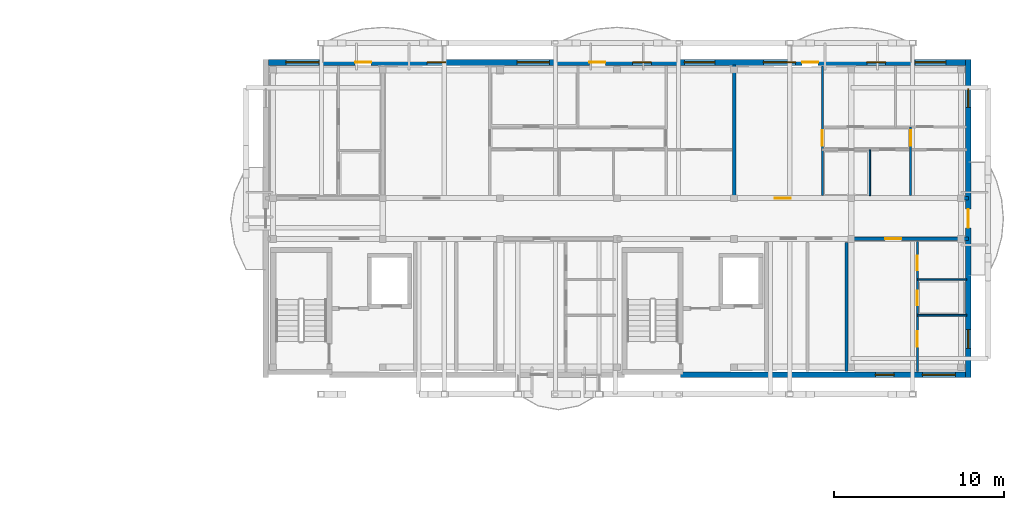
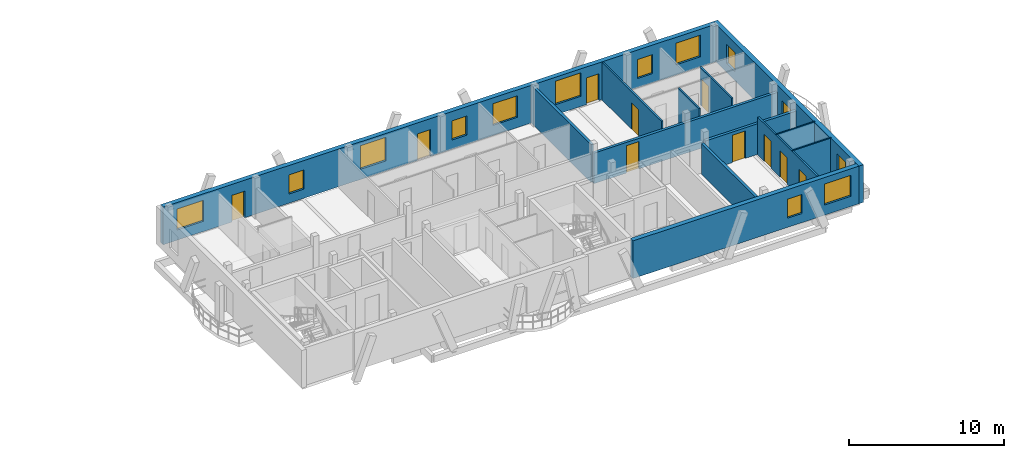
# One storey, part 23 of 33: 13 walls, 12 windows, 11 doors, 23 openings.
"""IFC4 building model written with IfcOpenShell, lengths in metres."""

from ifc_helpers import new_model, si_unit, direction, frame, frame_2d, origin, origin_with_axes, place, context, subcontext, project, spatial, rectangle, extrude, material, layer, layer_set, type_object, element, fill, save


model = new_model("IFC4")

# Units and contexts
model_context = context("Model", 3, precision=1e-05, world=origin(), true_north=direction((0.0, 1.0)))
body_context = subcontext(model_context, "Body", "Model", "MODEL_VIEW")
ifc_project = project(units=[si_unit("LENGTHUNIT", "METRE"), si_unit("AREAUNIT", "SQUARE_METRE"), si_unit("VOLUMEUNIT", "CUBIC_METRE"), si_unit("PLANEANGLEUNIT", "RADIAN"), si_unit("MASSUNIT", "GRAM", prefix="KILO")], contexts=[model_context])

# Site, building, storey
site_placement = place(None, origin())
site = spatial("IfcSite", under=ifc_project, at=site_placement, CompositionType="ELEMENT")
building_placement = place(site_placement, origin())
building = spatial("IfcBuilding", under=site, at=building_placement, Name="Zavelmont Quarter", CompositionType="ELEMENT")
storey_placement = place(building_placement, frame((0.0, 0.0, 30.39990234375)))
storey = spatial("IfcBuildingStorey", under=building, at=storey_placement, Name="L09", CompositionType="ELEMENT", Elevation=30.39990234375)

# Wall, openings, windows
ifc_material_1 = material(Name="Natural Belgian limestone", Category="masonry")
ifc_layer_1 = layer(ifc_material_1, 0.340087890625)
ifc_layer_set_1 = layer_set([ifc_layer_1], Name="Natural Belgian limestone")
wall_type_1 = type_object("IfcWallType", Name="EW03", PredefinedType="STANDARD", material=ifc_layer_set_1)
wall_1_placement = place(storey_placement, frame((151.050048828125, 97.60009765625, 0.0), z_axis=(0.0, 0.0, 1.0), x_axis=(1.0, 0.0, 0.0)))
wall_1 = element("IfcWall", 1, at=wall_1_placement, inside=storey, type_object=wall_type_1, Name="L09 exterior limestone wall EW03", PredefinedType="STANDARD", context=body_context, shape_type="SweptSolid", body=[
    extrude(rectangle(XDim=16.7900390625, YDim=0.340087890625, at=frame_2d((8.39501953125, 0.0))), origin(), (0.0, 0.0, 1.0), 2.960205078125),
])
opening_1_placement = place(wall_1_placement, frame((11.469970703125, 0.0, 0.719970703125)))
opening_1 = element("IfcOpeningElement", 2, at=opening_1_placement, cuts=wall_1, Name="Opening WN09", PredefinedType="OPENING", context=body_context, shape_type="SweptSolid", body=[
    extrude(rectangle(XDim=1.10009765625, YDim=1.5, at=frame_2d((0.550048828125, 0.75))), frame((0.0, 0.18212890625, 0.0), z_axis=(0.0, -1.0, 0.0), x_axis=(1.0, 0.0, 0.0)), (0.0, 0.0, 1.0), 0.364013671875),
])
opening_2_placement = place(wall_1_placement, frame((14.235107421875, 0.0, 0.800048828125)))
opening_2 = element("IfcOpeningElement", 3, at=opening_2_placement, cuts=wall_1, Name="Opening WN24", PredefinedType="OPENING", context=body_context, shape_type="SweptSolid", body=[
    extrude(rectangle(XDim=1.949951171875, YDim=1.64990234375, at=frame_2d((0.97509765625, 0.824951171875))), frame((0.0, 0.18212890625, 0.0), z_axis=(0.0, -1.0, 0.0), x_axis=(1.0, 0.0, 0.0)), (0.0, 0.0, 1.0), 0.364013671875),
])
ifc_material_2 = material(Name="Double low-E insulated glazing in thermally broken aluminium frame", Category="aluminium")
window_type_1 = type_object("IfcWindowType", Name="WN09", PartitioningType="SINGLE_PANEL", PredefinedType="WINDOW", material=ifc_material_2)
window_1_placement = place(opening_1_placement, origin_with_axes())
window_1 = element("IfcWindow", 4, at=window_1_placement, inside=storey, type_object=window_type_1, Name="L09 window WN09", OverallHeight=1.5, OverallWidth=1.10009765625, PartitioningType="SINGLE_PANEL", PredefinedType="WINDOW", context=body_context, shape_type="SweptSolid", body=[
    extrude(rectangle(XDim=1.10009765625, YDim=1.5, at=frame_2d((0.550048828125, 0.75))), frame((0.0, 0.030029296875, 0.0), z_axis=(0.0, -1.0, 0.0), x_axis=(1.0, 0.0, 0.0)), (0.0, 0.0, 1.0), 0.06005859375),
])
fill(opening_1, window_1)
window_type_2 = type_object("IfcWindowType", Name="WN24", PartitioningType="SINGLE_PANEL", PredefinedType="WINDOW", material=ifc_material_2)
window_2_placement = place(opening_2_placement, origin_with_axes())
window_2 = element("IfcWindow", 5, at=window_2_placement, inside=storey, type_object=window_type_2, Name="L09 window WN24", OverallHeight=1.64990234375, OverallWidth=1.949951171875, PartitioningType="SINGLE_PANEL", PredefinedType="WINDOW", context=body_context, shape_type="SweptSolid", body=[
    extrude(rectangle(XDim=1.949951171875, YDim=1.64990234375, at=frame_2d((0.97509765625, 0.824951171875))), frame((0.0, 0.030029296875, 0.0), z_axis=(0.0, -1.0, 0.0), x_axis=(1.0, 0.0, 0.0)), (0.0, 0.0, 1.0), 0.06005859375),
])
fill(opening_2, window_2)

# Wall, openings, doors, windows
wall_2_placement = place(storey_placement, frame((126.760009765625, 116.0, 0.0), z_axis=(0.0, 0.0, 1.0), x_axis=(1.0, 0.0, 0.0)))
wall_2 = element("IfcWall", 6, at=wall_2_placement, inside=storey, type_object=wall_type_1, Name="L09 exterior limestone wall EW03", PredefinedType="STANDARD", context=body_context, shape_type="SweptSolid", body=[
    extrude(rectangle(XDim=41.080078125, YDim=0.340087890625, at=frame_2d((20.5400390625, 0.0))), origin(), (0.0, 0.0, 1.0), 2.960205078125),
])
opening_3_placement = place(wall_2_placement, frame((5.110107421875, 0.0, 0.0)))
opening_3 = element("IfcOpeningElement", 7, at=opening_3_placement, cuts=wall_2, Name="Opening DR04", PredefinedType="OPENING", context=body_context, shape_type="SweptSolid", body=[
    extrude(rectangle(XDim=0.949951171875, YDim=2.10009765625, at=frame_2d((0.47509765625, 1.050048828125))), frame((0.0, 0.18212890625, 0.0), z_axis=(0.0, -1.0, 0.0), x_axis=(1.0, 0.0, 0.0)), (0.0, 0.0, 1.0), 0.364013671875),
])
opening_4_placement = place(wall_2_placement, frame((18.909912109375, 0.0, 0.0)))
opening_4 = element("IfcOpeningElement", 8, at=opening_4_placement, cuts=wall_2, Name="Opening DR04", PredefinedType="OPENING", context=body_context, shape_type="SweptSolid", body=[
    extrude(rectangle(XDim=0.949951171875, YDim=2.10009765625, at=frame_2d((0.47509765625, 1.050048828125))), frame((0.0, 0.18212890625, 0.0), z_axis=(0.0, -1.0, 0.0), x_axis=(1.0, 0.0, 0.0)), (0.0, 0.0, 1.0), 0.364013671875),
])
opening_5_placement = place(wall_2_placement, frame((31.443115234375, 0.0, 0.0)))
opening_5 = element("IfcOpeningElement", 9, at=opening_5_placement, cuts=wall_2, Name="Opening DR04", PredefinedType="OPENING", context=body_context, shape_type="SweptSolid", body=[
    extrude(rectangle(XDim=0.949951171875, YDim=2.10009765625, at=frame_2d((0.47509765625, 1.050048828125))), frame((0.0, 0.18212890625, 0.0), z_axis=(0.0, -1.0, 0.0), x_axis=(1.0, 0.0, 0.0)), (0.0, 0.0, 1.0), 0.364013671875),
])
opening_6_placement = place(wall_2_placement, frame((1.034912109375, 0.0, 0.800048828125)))
opening_6 = element("IfcOpeningElement", 10, at=opening_6_placement, cuts=wall_2, Name="Opening WN24", PredefinedType="OPENING", context=body_context, shape_type="SweptSolid", body=[
    extrude(rectangle(XDim=1.949951171875, YDim=1.64990234375, at=frame_2d((0.97509765625, 0.824951171875))), frame((0.0, 0.18212890625, 0.0), z_axis=(0.0, -1.0, 0.0), x_axis=(1.0, 0.0, 0.0)), (0.0, 0.0, 1.0), 0.364013671875),
])
opening_7_placement = place(wall_2_placement, frame((9.360107421875, 0.0, 0.719970703125)))
opening_7 = element("IfcOpeningElement", 11, at=opening_7_placement, cuts=wall_2, Name="Opening WN09", PredefinedType="OPENING", context=body_context, shape_type="SweptSolid", body=[
    extrude(rectangle(XDim=1.10009765625, YDim=1.5, at=frame_2d((0.550048828125, 0.75))), frame((0.0, 0.18212890625, 0.0), z_axis=(0.0, -1.0, 0.0), x_axis=(1.0, 0.0, 0.0)), (0.0, 0.0, 1.0), 0.364013671875),
])
opening_8_placement = place(wall_2_placement, frame((14.659912109375, 0.0, 0.800048828125)))
opening_8 = element("IfcOpeningElement", 12, at=opening_8_placement, cuts=wall_2, Name="Opening WN20", PredefinedType="OPENING", context=body_context, shape_type="SweptSolid", body=[
    extrude(rectangle(XDim=1.89990234375, YDim=1.85009765625, at=frame_2d((0.949951171875, 0.925048828125))), frame((0.0, 0.18212890625, 0.0), z_axis=(0.0, -1.0, 0.0), x_axis=(1.0, 0.0, 0.0)), (0.0, 0.0, 1.0), 0.364013671875),
])
opening_9_placement = place(wall_2_placement, frame((21.4599609375, 0.0, 0.719970703125)))
opening_9 = element("IfcOpeningElement", 13, at=opening_9_placement, cuts=wall_2, Name="Opening WN09", PredefinedType="OPENING", context=body_context, shape_type="SweptSolid", body=[
    extrude(rectangle(XDim=1.10009765625, YDim=1.5, at=frame_2d((0.550048828125, 0.75))), frame((0.0, 0.18212890625, 0.0), z_axis=(0.0, -1.0, 0.0), x_axis=(1.0, 0.0, 0.0)), (0.0, 0.0, 1.0), 0.364013671875),
])
opening_10_placement = place(wall_2_placement, frame((24.510009765625, 0.0, 0.800048828125)))
opening_10 = element("IfcOpeningElement", 14, at=opening_10_placement, cuts=wall_2, Name="Opening WN02", PredefinedType="OPENING", context=body_context, shape_type="SweptSolid", body=[
    extrude(rectangle(XDim=1.800048828125, YDim=1.699951171875, at=frame_2d((0.89990234375, 0.85009765625))), frame((0.0, 0.18212890625, 0.0), z_axis=(0.0, -1.0, 0.0), x_axis=(1.0, 0.0, 0.0)), (0.0, 0.0, 1.0), 0.364013671875),
])
opening_11_placement = place(wall_2_placement, frame((29.159912109375, 0.0, 0.800048828125)))
opening_11 = element("IfcOpeningElement", 15, at=opening_11_placement, cuts=wall_2, Name="Opening WN20", PredefinedType="OPENING", context=body_context, shape_type="SweptSolid", body=[
    extrude(rectangle(XDim=1.89990234375, YDim=1.85009765625, at=frame_2d((0.949951171875, 0.925048828125))), frame((0.0, 0.18212890625, 0.0), z_axis=(0.0, -1.0, 0.0), x_axis=(1.0, 0.0, 0.0)), (0.0, 0.0, 1.0), 0.364013671875),
])
opening_12_placement = place(wall_2_placement, frame((35.260009765625, 0.0, 0.719970703125)))
opening_12 = element("IfcOpeningElement", 16, at=opening_12_placement, cuts=wall_2, Name="Opening WN09", PredefinedType="OPENING", context=body_context, shape_type="SweptSolid", body=[
    extrude(rectangle(XDim=1.10009765625, YDim=1.5, at=frame_2d((0.550048828125, 0.75))), frame((0.0, 0.18212890625, 0.0), z_axis=(0.0, -1.0, 0.0), x_axis=(1.0, 0.0, 0.0)), (0.0, 0.0, 1.0), 0.364013671875),
])
opening_13_placement = place(wall_2_placement, frame((38.110107421875, 0.0, 0.800048828125)))
opening_13 = element("IfcOpeningElement", 17, at=opening_13_placement, cuts=wall_2, Name="Opening WN02", PredefinedType="OPENING", context=body_context, shape_type="SweptSolid", body=[
    extrude(rectangle(XDim=1.800048828125, YDim=1.699951171875, at=frame_2d((0.89990234375, 0.85009765625))), frame((0.0, 0.18212890625, 0.0), z_axis=(0.0, -1.0, 0.0), x_axis=(1.0, 0.0, 0.0)), (0.0, 0.0, 1.0), 0.364013671875),
])
ifc_material_3 = material(Name="Thermally broken aluminium and double safety glass", Category="aluminium")
door_type_1 = type_object("IfcDoorType", Name="DR04", OperationType="NOTDEFINED", PredefinedType="DOOR", material=ifc_material_3)
door_1_placement = place(opening_3_placement, frame((0.949951171875, 0.0, 0.0), z_axis=(0.0, 0.0, 1.0), x_axis=(-1.0, 0.0, 0.0)))
door_1 = element("IfcDoor", 18, at=door_1_placement, inside=storey, type_object=door_type_1, Name="Block C L09 glazed balcony door", OperationType="SINGLE_SWING_LEFT", OverallHeight=2.10009765625, OverallWidth=0.949951171875, PredefinedType="DOOR", context=body_context, shape_type="SweptSolid", body=[
    extrude(rectangle(XDim=0.949951171875, YDim=2.10009765625, at=frame_2d((0.47509765625, 1.050048828125))), frame((0.0, 0.02490234375, 0.0), z_axis=(0.0, -1.0, 0.0), x_axis=(1.0, 0.0, 0.0)), (0.0, 0.0, 1.0), 0.050048828125),
])
fill(opening_3, door_1)
door_2_placement = place(opening_4_placement, frame((0.949951171875, 0.0, 0.0), z_axis=(0.0, 0.0, 1.0), x_axis=(-1.0, 0.0, 0.0)))
door_2 = element("IfcDoor", 19, at=door_2_placement, inside=storey, type_object=door_type_1, Name="Block C L09 glazed balcony door", OperationType="SINGLE_SWING_LEFT", OverallHeight=2.10009765625, OverallWidth=0.949951171875, PredefinedType="DOOR", context=body_context, shape_type="SweptSolid", body=[
    extrude(rectangle(XDim=0.949951171875, YDim=2.10009765625, at=frame_2d((0.47509765625, 1.050048828125))), frame((0.0, 0.02490234375, 0.0), z_axis=(0.0, -1.0, 0.0), x_axis=(1.0, 0.0, 0.0)), (0.0, 0.0, 1.0), 0.050048828125),
])
fill(opening_4, door_2)
door_3_placement = place(opening_5_placement, frame((0.949951171875, 0.0, 0.0), z_axis=(0.0, 0.0, 1.0), x_axis=(-1.0, 0.0, 0.0)))
door_3 = element("IfcDoor", 20, at=door_3_placement, inside=storey, type_object=door_type_1, Name="Block C L09 glazed balcony door", OperationType="SINGLE_SWING_LEFT", OverallHeight=2.10009765625, OverallWidth=0.949951171875, PredefinedType="DOOR", context=body_context, shape_type="SweptSolid", body=[
    extrude(rectangle(XDim=0.949951171875, YDim=2.10009765625, at=frame_2d((0.47509765625, 1.050048828125))), frame((0.0, 0.02490234375, 0.0), z_axis=(0.0, -1.0, 0.0), x_axis=(1.0, 0.0, 0.0)), (0.0, 0.0, 1.0), 0.050048828125),
])
fill(opening_5, door_3)
window_type_3 = type_object("IfcWindowType", Name="WN02", PartitioningType="SINGLE_PANEL", PredefinedType="WINDOW", material=ifc_material_2)
window_3_placement = place(opening_10_placement, origin_with_axes())
window_3 = element("IfcWindow", 21, at=window_3_placement, inside=storey, type_object=window_type_3, Name="L09 window WN02", OverallHeight=1.699951171875, OverallWidth=1.800048828125, PartitioningType="SINGLE_PANEL", PredefinedType="WINDOW", context=body_context, shape_type="SweptSolid", body=[
    extrude(rectangle(XDim=1.800048828125, YDim=1.699951171875, at=frame_2d((0.89990234375, 0.85009765625))), frame((0.0, 0.030029296875, 0.0), z_axis=(0.0, -1.0, 0.0), x_axis=(1.0, 0.0, 0.0)), (0.0, 0.0, 1.0), 0.06005859375),
])
fill(opening_10, window_3)
window_4_placement = place(opening_13_placement, origin_with_axes())
window_4 = element("IfcWindow", 22, at=window_4_placement, inside=storey, type_object=window_type_3, Name="L09 window WN02", OverallHeight=1.699951171875, OverallWidth=1.800048828125, PartitioningType="SINGLE_PANEL", PredefinedType="WINDOW", context=body_context, shape_type="SweptSolid", body=[
    extrude(rectangle(XDim=1.800048828125, YDim=1.699951171875, at=frame_2d((0.89990234375, 0.85009765625))), frame((0.0, 0.030029296875, 0.0), z_axis=(0.0, -1.0, 0.0), x_axis=(1.0, 0.0, 0.0)), (0.0, 0.0, 1.0), 0.06005859375),
])
fill(opening_13, window_4)
window_5_placement = place(opening_7_placement, origin_with_axes())
window_5 = element("IfcWindow", 23, at=window_5_placement, inside=storey, type_object=window_type_1, Name="L09 window WN09", OverallHeight=1.5, OverallWidth=1.10009765625, PartitioningType="SINGLE_PANEL", PredefinedType="WINDOW", context=body_context, shape_type="SweptSolid", body=[
    extrude(rectangle(XDim=1.10009765625, YDim=1.5, at=frame_2d((0.550048828125, 0.75))), frame((0.0, 0.030029296875, 0.0), z_axis=(0.0, -1.0, 0.0), x_axis=(1.0, 0.0, 0.0)), (0.0, 0.0, 1.0), 0.06005859375),
])
fill(opening_7, window_5)
window_6_placement = place(opening_9_placement, origin_with_axes())
window_6 = element("IfcWindow", 24, at=window_6_placement, inside=storey, type_object=window_type_1, Name="L09 window WN09", OverallHeight=1.5, OverallWidth=1.10009765625, PartitioningType="SINGLE_PANEL", PredefinedType="WINDOW", context=body_context, shape_type="SweptSolid", body=[
    extrude(rectangle(XDim=1.10009765625, YDim=1.5, at=frame_2d((0.550048828125, 0.75))), frame((0.0, 0.030029296875, 0.0), z_axis=(0.0, -1.0, 0.0), x_axis=(1.0, 0.0, 0.0)), (0.0, 0.0, 1.0), 0.06005859375),
])
fill(opening_9, window_6)
window_7_placement = place(opening_12_placement, origin_with_axes())
window_7 = element("IfcWindow", 25, at=window_7_placement, inside=storey, type_object=window_type_1, Name="L09 window WN09", OverallHeight=1.5, OverallWidth=1.10009765625, PartitioningType="SINGLE_PANEL", PredefinedType="WINDOW", context=body_context, shape_type="SweptSolid", body=[
    extrude(rectangle(XDim=1.10009765625, YDim=1.5, at=frame_2d((0.550048828125, 0.75))), frame((0.0, 0.030029296875, 0.0), z_axis=(0.0, -1.0, 0.0), x_axis=(1.0, 0.0, 0.0)), (0.0, 0.0, 1.0), 0.06005859375),
])
fill(opening_12, window_7)
window_type_4 = type_object("IfcWindowType", Name="WN20", PartitioningType="SINGLE_PANEL", PredefinedType="WINDOW", material=ifc_material_2)
window_8_placement = place(opening_8_placement, origin_with_axes())
window_8 = element("IfcWindow", 26, at=window_8_placement, inside=storey, type_object=window_type_4, Name="L09 window WN20", OverallHeight=1.85009765625, OverallWidth=1.89990234375, PartitioningType="SINGLE_PANEL", PredefinedType="WINDOW", context=body_context, shape_type="SweptSolid", body=[
    extrude(rectangle(XDim=1.89990234375, YDim=1.85009765625, at=frame_2d((0.949951171875, 0.925048828125))), frame((0.0, 0.030029296875, 0.0), z_axis=(0.0, -1.0, 0.0), x_axis=(1.0, 0.0, 0.0)), (0.0, 0.0, 1.0), 0.06005859375),
])
fill(opening_8, window_8)
window_9_placement = place(opening_11_placement, origin_with_axes())
window_9 = element("IfcWindow", 27, at=window_9_placement, inside=storey, type_object=window_type_4, Name="L09 window WN20", OverallHeight=1.85009765625, OverallWidth=1.89990234375, PartitioningType="SINGLE_PANEL", PredefinedType="WINDOW", context=body_context, shape_type="SweptSolid", body=[
    extrude(rectangle(XDim=1.89990234375, YDim=1.85009765625, at=frame_2d((0.949951171875, 0.925048828125))), frame((0.0, 0.030029296875, 0.0), z_axis=(0.0, -1.0, 0.0), x_axis=(1.0, 0.0, 0.0)), (0.0, 0.0, 1.0), 0.06005859375),
])
fill(opening_11, window_9)
window_10_placement = place(opening_6_placement, origin_with_axes())
window_10 = element("IfcWindow", 28, at=window_10_placement, inside=storey, type_object=window_type_2, Name="L09 window WN24", OverallHeight=1.64990234375, OverallWidth=1.949951171875, PartitioningType="SINGLE_PANEL", PredefinedType="WINDOW", context=body_context, shape_type="SweptSolid", body=[
    extrude(rectangle(XDim=1.949951171875, YDim=1.64990234375, at=frame_2d((0.97509765625, 0.824951171875))), frame((0.0, 0.030029296875, 0.0), z_axis=(0.0, -1.0, 0.0), x_axis=(1.0, 0.0, 0.0)), (0.0, 0.0, 1.0), 0.06005859375),
])
fill(opening_6, window_10)

# Wall, openings, door, windows
wall_3_placement = place(storey_placement, frame((168.0, 97.429931640625, 0.0), z_axis=(0.0, 0.0, 1.0), x_axis=(0.0, 1.0, 0.0)))
wall_3 = element("IfcWall", 29, at=wall_3_placement, inside=storey, type_object=wall_type_1, Name="L09 exterior limestone wall EW03", PredefinedType="STANDARD", context=body_context, shape_type="SweptSolid", body=[
    extrude(rectangle(XDim=18.739990234375, YDim=0.340087890625, at=frame_2d((9.3701171875, 0.0))), origin(), (0.0, 0.0, 1.0), 2.960205078125),
])
opening_14_placement = place(wall_3_placement, frame((8.820068359375, 0.0, 0.0)))
opening_14 = element("IfcOpeningElement", 30, at=opening_14_placement, cuts=wall_3, Name="Opening DR04B", PredefinedType="OPENING", context=body_context, shape_type="SweptSolid", body=[
    extrude(rectangle(XDim=1.10009765625, YDim=2.10009765625, at=frame_2d((0.550048828125, 1.050048828125))), frame((0.0, 0.18212890625, 0.0), z_axis=(0.0, -1.0, 0.0), x_axis=(1.0, 0.0, 0.0)), (0.0, 0.0, 1.0), 0.364013671875),
])
opening_15_placement = place(wall_3_placement, frame((1.719970703125, 0.0, 0.719970703125)))
opening_15 = element("IfcOpeningElement", 31, at=opening_15_placement, cuts=wall_3, Name="Opening WN09", PredefinedType="OPENING", context=body_context, shape_type="SweptSolid", body=[
    extrude(rectangle(XDim=1.10009765625, YDim=1.5, at=frame_2d((0.550048828125, 0.75))), frame((0.0, 0.18212890625, 0.0), z_axis=(0.0, -1.0, 0.0), x_axis=(1.0, 0.0, 0.0)), (0.0, 0.0, 1.0), 0.364013671875),
])
opening_16_placement = place(wall_3_placement, frame((15.919921875, 0.0, 0.719970703125)))
opening_16 = element("IfcOpeningElement", 32, at=opening_16_placement, cuts=wall_3, Name="Opening WN09", PredefinedType="OPENING", context=body_context, shape_type="SweptSolid", body=[
    extrude(rectangle(XDim=1.10009765625, YDim=1.5, at=frame_2d((0.550048828125, 0.75))), frame((0.0, 0.18212890625, 0.0), z_axis=(0.0, -1.0, 0.0), x_axis=(1.0, 0.0, 0.0)), (0.0, 0.0, 1.0), 0.364013671875),
])
door_type_2 = type_object("IfcDoorType", Name="DR04B", OperationType="NOTDEFINED", PredefinedType="DOOR", material=ifc_material_3)
door_4_placement = place(opening_14_placement, origin_with_axes())
door_4 = element("IfcDoor", 33, at=door_4_placement, inside=storey, type_object=door_type_2, Name="Block C L09 terrace or vase balcony door", OperationType="SINGLE_SWING_RIGHT", OverallHeight=2.10009765625, OverallWidth=1.10009765625, PredefinedType="DOOR", context=body_context, shape_type="SweptSolid", body=[
    extrude(rectangle(XDim=1.10009765625, YDim=2.10009765625, at=frame_2d((0.550048828125, 1.050048828125))), frame((0.0, 0.02490234375, 0.0), z_axis=(0.0, -1.0, 0.0), x_axis=(1.0, 0.0, 0.0)), (0.0, 0.0, 1.0), 0.050048828125),
])
fill(opening_14, door_4)
window_11_placement = place(opening_15_placement, origin_with_axes())
window_11 = element("IfcWindow", 34, at=window_11_placement, inside=storey, type_object=window_type_1, Name="L09 window WN09", OverallHeight=1.5, OverallWidth=1.10009765625, PartitioningType="SINGLE_PANEL", PredefinedType="WINDOW", context=body_context, shape_type="SweptSolid", body=[
    extrude(rectangle(XDim=1.10009765625, YDim=1.5, at=frame_2d((0.550048828125, 0.75))), frame((0.0, 0.030029296875, 0.0), z_axis=(0.0, -1.0, 0.0), x_axis=(1.0, 0.0, 0.0)), (0.0, 0.0, 1.0), 0.06005859375),
])
fill(opening_15, window_11)
window_12_placement = place(opening_16_placement, origin_with_axes())
window_12 = element("IfcWindow", 35, at=window_12_placement, inside=storey, type_object=window_type_1, Name="L09 window WN09", OverallHeight=1.5, OverallWidth=1.10009765625, PartitioningType="SINGLE_PANEL", PredefinedType="WINDOW", context=body_context, shape_type="SweptSolid", body=[
    extrude(rectangle(XDim=1.10009765625, YDim=1.5, at=frame_2d((0.550048828125, 0.75))), frame((0.0, 0.030029296875, 0.0), z_axis=(0.0, -1.0, 0.0), x_axis=(1.0, 0.0, 0.0)), (0.0, 0.0, 1.0), 0.06005859375),
])
fill(opening_16, window_12)

# Walls
ifc_material_4 = material(Name="Calcium-silicate blockwork and acoustic plaster", Category="masonry")
ifc_layer_2 = layer(ifc_material_4, 0.199951171875)
ifc_layer_set_2 = layer_set([ifc_layer_2], Name="Calcium-silicate blockwork and acoustic plaster")
wall_type_2 = type_object("IfcWallType", Name="IW01", PredefinedType="PARTITIONING", material=ifc_layer_set_2)
wall_4_placement = place(storey_placement, frame((160.820068359375, 97.800048828125, 0.0), z_axis=(0.0, 0.0, 1.0), x_axis=(0.0, 1.0, 0.0)))
element("IfcWall", 36, at=wall_4_placement, inside=storey, type_object=wall_type_2, Name="L09 Core service end wall IW01", PredefinedType="PARTITIONING", context=body_context, shape_type="SweptSolid", body=[
    extrude(rectangle(XDim=7.599853515625, YDim=0.199951171875, at=frame_2d((3.7998046875, 0.0))), origin(), (0.0, 0.0, 1.0), 2.400146484375),
])
wall_5_placement = place(storey_placement, frame((154.199951171875, 108.14990234375, 0.0), z_axis=(0.0, 0.0, 1.0), x_axis=(0.0, 1.0, 0.0)))
element("IfcWall", 37, at=wall_5_placement, inside=storey, type_object=wall_type_2, Name="L09 Inter-dwelling compartment wall IW01", PredefinedType="PARTITIONING", context=body_context, shape_type="SweptSolid", body=[
    extrude(rectangle(XDim=7.7001953125, YDim=0.199951171875, at=frame_2d((3.85009765625, 0.0))), origin(), (0.0, 0.0, 1.0), 2.960205078125),
])

# Wall, opening, door
wall_6_placement = place(storey_placement, frame((154.199951171875, 108.0, 0.0), z_axis=(0.0, 0.0, 1.0), x_axis=(1.0, 0.0, 0.0)))
wall_6 = element("IfcWall", 38, at=wall_6_placement, inside=storey, type_object=wall_type_2, Name="L09 Corridor compartment wall IW01", PredefinedType="PARTITIONING", context=body_context, shape_type="SweptSolid", body=[
    extrude(rectangle(XDim=13.800048828125, YDim=0.199951171875, at=frame_2d((6.89990234375, 0.0))), origin(), (0.0, 0.0, 1.0), 2.400146484375),
])
opening_17_placement = place(wall_6_placement, frame((2.39990234375, 0.0, 0.0)))
opening_17 = element("IfcOpeningElement", 39, at=opening_17_placement, cuts=wall_6, Name="Opening DR02", PredefinedType="OPENING", context=body_context, shape_type="SweptSolid", body=[
    extrude(rectangle(XDim=0.949951171875, YDim=2.14990234375, at=frame_2d((0.47509765625, 1.074951171875))), frame((0.0, 0.11181640625, 0.0), z_axis=(0.0, -1.0, 0.0), x_axis=(1.0, 0.0, 0.0)), (0.0, 0.0, 1.0), 0.223876953125),
])
ifc_material_5 = material(Name="Solid-core oak fire leaf in steel frame", Category="steel")
door_type_3 = type_object("IfcDoorType", Name="DR02", OperationType="NOTDEFINED", PredefinedType="DOOR", material=ifc_material_5)
door_5_placement = place(opening_17_placement, origin_with_axes())
door_5 = element("IfcDoor", 40, at=door_5_placement, inside=storey, type_object=door_type_3, Name="L09 door DR02", OperationType="SINGLE_SWING_LEFT", OverallHeight=2.14990234375, OverallWidth=0.949951171875, PredefinedType="DOOR", context=body_context, shape_type="SweptSolid", body=[
    extrude(rectangle(XDim=0.949951171875, YDim=2.14990234375, at=frame_2d((0.47509765625, 1.074951171875))), frame((0.0, 0.02490234375, 0.0), z_axis=(0.0, -1.0, 0.0), x_axis=(1.0, 0.0, 0.0)), (0.0, 0.0, 1.0), 0.050048828125),
])
fill(opening_17, door_5)

wall_7_placement = place(storey_placement, frame((161.10009765625, 105.60009765625, 0.0), z_axis=(0.0, 0.0, 1.0), x_axis=(1.0, 0.0, 0.0)))
wall_7 = element("IfcWall", 41, at=wall_7_placement, inside=storey, type_object=wall_type_2, Name="L09 Corridor compartment wall IW01", PredefinedType="PARTITIONING", context=body_context, shape_type="SweptSolid", body=[
    extrude(rectangle(XDim=6.89990234375, YDim=0.199951171875, at=frame_2d((3.449951171875, 0.0))), origin(), (0.0, 0.0, 1.0), 2.400146484375),
])
opening_18_placement = place(wall_7_placement, frame((2.0, 0.0, 0.0)))
opening_18 = element("IfcOpeningElement", 42, at=opening_18_placement, cuts=wall_7, Name="Opening DR02", PredefinedType="OPENING", context=body_context, shape_type="SweptSolid", body=[
    extrude(rectangle(XDim=0.949951171875, YDim=2.14990234375, at=frame_2d((0.47509765625, 1.074951171875))), frame((0.0, 0.11181640625, 0.0), z_axis=(0.0, -1.0, 0.0), x_axis=(1.0, 0.0, 0.0)), (0.0, 0.0, 1.0), 0.223876953125),
])
door_6_placement = place(opening_18_placement, frame((0.949951171875, 0.0, 0.0), z_axis=(0.0, 0.0, 1.0), x_axis=(-1.0, 0.0, 0.0)))
door_6 = element("IfcDoor", 43, at=door_6_placement, inside=storey, type_object=door_type_3, Name="L09 door DR02", OperationType="SINGLE_SWING_LEFT", OverallHeight=2.14990234375, OverallWidth=0.949951171875, PredefinedType="DOOR", context=body_context, shape_type="SweptSolid", body=[
    extrude(rectangle(XDim=0.949951171875, YDim=2.14990234375, at=frame_2d((0.47509765625, 1.074951171875))), frame((0.0, 0.02490234375, 0.0), z_axis=(0.0, -1.0, 0.0), x_axis=(1.0, 0.0, 0.0)), (0.0, 0.0, 1.0), 0.050048828125),
])
fill(opening_18, door_6)

ifc_material_6 = material(Name="Double gypsum board on acoustic steel stud", Category="steel")
ifc_layer_3 = layer(ifc_material_6, 0.125)
ifc_layer_set_3 = layer_set([ifc_layer_3], Name="Double gypsum board on acoustic steel stud")
wall_type_3 = type_object("IfcWallType", Name="IW03", PredefinedType="PARTITIONING", material=ifc_layer_set_3)
wall_8_placement = place(storey_placement, frame((159.39990234375, 108.14990234375, 0.0), z_axis=(0.0, 0.0, 1.0), x_axis=(0.0, 1.0, 0.0)))
wall_8 = element("IfcWall", 44, at=wall_8_placement, inside=storey, type_object=wall_type_3, Name="L09 Partition IW03", PredefinedType="PARTITIONING", context=body_context, shape_type="SweptSolid", body=[
    extrude(rectangle(XDim=7.650146484375, YDim=0.125, at=frame_2d((3.8251953125, 0.0))), origin(), (0.0, 0.0, 1.0), 2.960205078125),
])
opening_19_placement = place(wall_8_placement, frame((2.949951171875, 0.0, 0.0)))
opening_19 = element("IfcOpeningElement", 45, at=opening_19_placement, cuts=wall_8, Name="Opening DR05", PredefinedType="OPENING", context=body_context, shape_type="SweptSolid", body=[
    extrude(rectangle(XDim=0.89990234375, YDim=2.10009765625, at=frame_2d((0.449951171875, 1.050048828125))), frame((0.0, 0.074462890625, 0.0), z_axis=(0.0, -1.0, 0.0), x_axis=(1.0, 0.0, 0.0)), (0.0, 0.0, 1.0), 0.14892578125),
])
ifc_material_7 = material(Name="Engineered oak flush interior door")
door_type_4 = type_object("IfcDoorType", Name="DR05", OperationType="NOTDEFINED", PredefinedType="DOOR", material=ifc_material_7)
door_7_placement = place(opening_19_placement, origin_with_axes())
door_7 = element("IfcDoor", 46, at=door_7_placement, inside=storey, type_object=door_type_4, Name="L09 door DR05", OperationType="SINGLE_SWING_LEFT", OverallHeight=2.10009765625, OverallWidth=0.89990234375, PredefinedType="DOOR", context=body_context, shape_type="SweptSolid", body=[
    extrude(rectangle(XDim=0.89990234375, YDim=2.10009765625, at=frame_2d((0.449951171875, 1.050048828125))), frame((0.0, 0.02490234375, 0.0), z_axis=(0.0, -1.0, 0.0), x_axis=(1.0, 0.0, 0.0)), (0.0, 0.0, 1.0), 0.050048828125),
])
fill(opening_19, door_7)

wall_9_placement = place(storey_placement, frame((164.60009765625, 108.14990234375, 0.0), z_axis=(0.0, 0.0, 1.0), x_axis=(0.0, 1.0, 0.0)))
wall_9 = element("IfcWall", 47, at=wall_9_placement, inside=storey, type_object=wall_type_3, Name="L09 Partition IW03", PredefinedType="PARTITIONING", context=body_context, shape_type="SweptSolid", body=[
    extrude(rectangle(XDim=4.050048828125, YDim=0.125, at=frame_2d((2.02490234375, 0.0))), origin(), (0.0, 0.0, 1.0), 2.960205078125),
])
opening_20_placement = place(wall_9_placement, frame((2.949951171875, 0.0, 0.0)))
opening_20 = element("IfcOpeningElement", 48, at=opening_20_placement, cuts=wall_9, Name="Opening DR05", PredefinedType="OPENING", context=body_context, shape_type="SweptSolid", body=[
    extrude(rectangle(XDim=0.89990234375, YDim=2.10009765625, at=frame_2d((0.449951171875, 1.050048828125))), frame((0.0, 0.074462890625, 0.0), z_axis=(0.0, -1.0, 0.0), x_axis=(1.0, 0.0, 0.0)), (0.0, 0.0, 1.0), 0.14892578125),
])
door_8_placement = place(opening_20_placement, frame((0.89990234375, 0.0, 0.0), z_axis=(0.0, 0.0, 1.0), x_axis=(-1.0, 0.0, 0.0)))
door_8 = element("IfcDoor", 49, at=door_8_placement, inside=storey, type_object=door_type_4, Name="L09 door DR05", OperationType="SINGLE_SWING_RIGHT", OverallHeight=2.10009765625, OverallWidth=0.89990234375, PredefinedType="DOOR", context=body_context, shape_type="SweptSolid", body=[
    extrude(rectangle(XDim=0.89990234375, YDim=2.10009765625, at=frame_2d((0.449951171875, 1.050048828125))), frame((0.0, 0.02490234375, 0.0), z_axis=(0.0, -1.0, 0.0), x_axis=(1.0, 0.0, 0.0)), (0.0, 0.0, 1.0), 0.050048828125),
])
fill(opening_20, door_8)

# Wall, openings, doors
wall_10_placement = place(storey_placement, frame((165.0, 105.449951171875, 0.0), z_axis=(0.0, 0.0, 1.0), x_axis=(0.0, -1.0, 0.0)))
wall_10 = element("IfcWall", 50, at=wall_10_placement, inside=storey, type_object=wall_type_3, Name="L09 Partition IW03", PredefinedType="PARTITIONING", context=body_context, shape_type="SweptSolid", body=[
    extrude(rectangle(XDim=7.64990234375, YDim=0.125, at=frame_2d((3.824951171875, 0.0))), origin(), (0.0, 0.0, 1.0), 2.960205078125),
])
opening_21_placement = place(wall_10_placement, frame((0.85009765625, 0.0, 0.0)))
opening_21 = element("IfcOpeningElement", 51, at=opening_21_placement, cuts=wall_10, Name="Opening DR16", PredefinedType="OPENING", context=body_context, shape_type="SweptSolid", body=[
    extrude(rectangle(XDim=0.85009765625, YDim=2.10009765625, at=frame_2d((0.425048828125, 1.050048828125))), frame((0.0, 0.074462890625, 0.0), z_axis=(0.0, -1.0, 0.0), x_axis=(1.0, 0.0, 0.0)), (0.0, 0.0, 1.0), 0.14892578125),
])
opening_22_placement = place(wall_10_placement, frame((2.89990234375, 0.0, 0.0)))
opening_22 = element("IfcOpeningElement", 52, at=opening_22_placement, cuts=wall_10, Name="Opening DR06", PredefinedType="OPENING", context=body_context, shape_type="SweptSolid", body=[
    extrude(rectangle(XDim=0.85009765625, YDim=2.050048828125, at=frame_2d((0.425048828125, 1.02490234375))), frame((0.0, 0.074462890625, 0.0), z_axis=(0.0, -1.0, 0.0), x_axis=(1.0, 0.0, 0.0)), (0.0, 0.0, 1.0), 0.14892578125),
])
opening_23_placement = place(wall_10_placement, frame((5.300048828125, 0.0, 0.0)))
opening_23 = element("IfcOpeningElement", 53, at=opening_23_placement, cuts=wall_10, Name="Opening DR05", PredefinedType="OPENING", context=body_context, shape_type="SweptSolid", body=[
    extrude(rectangle(XDim=0.89990234375, YDim=2.10009765625, at=frame_2d((0.449951171875, 1.050048828125))), frame((0.0, 0.074462890625, 0.0), z_axis=(0.0, -1.0, 0.0), x_axis=(1.0, 0.0, 0.0)), (0.0, 0.0, 1.0), 0.14892578125),
])
door_9_placement = place(opening_23_placement, origin_with_axes())
door_9 = element("IfcDoor", 54, at=door_9_placement, inside=storey, type_object=door_type_4, Name="L09 door DR05", OperationType="SINGLE_SWING_LEFT", OverallHeight=2.10009765625, OverallWidth=0.89990234375, PredefinedType="DOOR", context=body_context, shape_type="SweptSolid", body=[
    extrude(rectangle(XDim=0.89990234375, YDim=2.10009765625, at=frame_2d((0.449951171875, 1.050048828125))), frame((0.0, 0.02490234375, 0.0), z_axis=(0.0, -1.0, 0.0), x_axis=(1.0, 0.0, 0.0)), (0.0, 0.0, 1.0), 0.050048828125),
])
fill(opening_23, door_9)
ifc_material_8 = material(Name="Moisture-resistant painted wet-room door")
door_type_5 = type_object("IfcDoorType", Name="DR06", OperationType="NOTDEFINED", PredefinedType="DOOR", material=ifc_material_8)
door_10_placement = place(opening_22_placement, frame((0.85009765625, 0.0, 0.0), z_axis=(0.0, 0.0, 1.0), x_axis=(-1.0, 0.0, 0.0)))
door_10 = element("IfcDoor", 55, at=door_10_placement, inside=storey, type_object=door_type_5, Name="L09 door DR06", OperationType="SINGLE_SWING_RIGHT", OverallHeight=2.050048828125, OverallWidth=0.85009765625, PredefinedType="DOOR", context=body_context, shape_type="SweptSolid", body=[
    extrude(rectangle(XDim=0.85009765625, YDim=2.050048828125, at=frame_2d((0.425048828125, 1.02490234375))), frame((0.0, 0.02490234375, 0.0), z_axis=(0.0, -1.0, 0.0), x_axis=(1.0, 0.0, 0.0)), (0.0, 0.0, 1.0), 0.050048828125),
])
fill(opening_22, door_10)
door_type_6 = type_object("IfcDoorType", Name="DR16", OperationType="NOTDEFINED", PredefinedType="DOOR", material=ifc_material_7)
door_11_placement = place(opening_21_placement, origin_with_axes())
door_11 = element("IfcDoor", 56, at=door_11_placement, inside=storey, type_object=door_type_6, Name="L09 door DR16", OperationType="SINGLE_SWING_LEFT", OverallHeight=2.10009765625, OverallWidth=0.85009765625, PredefinedType="DOOR", context=body_context, shape_type="SweptSolid", body=[
    extrude(rectangle(XDim=0.85009765625, YDim=2.10009765625, at=frame_2d((0.425048828125, 1.050048828125))), frame((0.0, 0.02490234375, 0.0), z_axis=(0.0, -1.0, 0.0), x_axis=(1.0, 0.0, 0.0)), (0.0, 0.0, 1.0), 0.050048828125),
])
fill(opening_21, door_11)

# Walls
ifc_material_9 = material(Name="Moisture-resistant gypsum board on steel stud", Category="steel")
ifc_layer_4 = layer(ifc_material_9, 0.10009765625)
ifc_layer_set_4 = layer_set([ifc_layer_4], Name="Moisture-resistant gypsum board on steel stud")
wall_type_4 = type_object("IfcWallType", Name="IW04", PredefinedType="PARTITIONING", material=ifc_layer_set_4)
wall_11_placement = place(storey_placement, frame((162.199951171875, 108.14990234375, 0.0), z_axis=(0.0, 0.0, 1.0), x_axis=(0.0, 1.0, 0.0)))
element("IfcWall", 57, at=wall_11_placement, inside=storey, type_object=wall_type_4, Name="L09 Partition IW04", PredefinedType="PARTITIONING", context=body_context, shape_type="SweptSolid", body=[
    extrude(rectangle(XDim=2.7001953125, YDim=0.10009765625, at=frame_2d((1.35009765625, 0.0))), origin(), (0.0, 0.0, 1.0), 2.960205078125),
])
for number, where, z_axis, x_axis, name in (
    (58, (165.0, 103.199951171875, 0.0), (0.0, 0.0, 1.0), (1.0, 0.0, 0.0), "L09 Partition IW04"),
    (59, (165.0, 101.10009765625, 0.0), (0.0, 0.0, 1.0), (1.0, 0.0, 0.0), "L09 Partition IW04"),
):
    element("IfcWall", number, at=place(storey_placement, frame(where, z_axis=z_axis, x_axis=x_axis)), inside=storey, type_object=wall_type_4, Name=name, PredefinedType="PARTITIONING", context=body_context, shape_type="SweptSolid", body=[
        extrude(rectangle(XDim=2.89990234375, YDim=0.10009765625, at=frame_2d((1.449951171875, 0.0))), origin(), (0.0, 0.0, 1.0), 2.960205078125),
    ])

save(model, "model.ifc")
